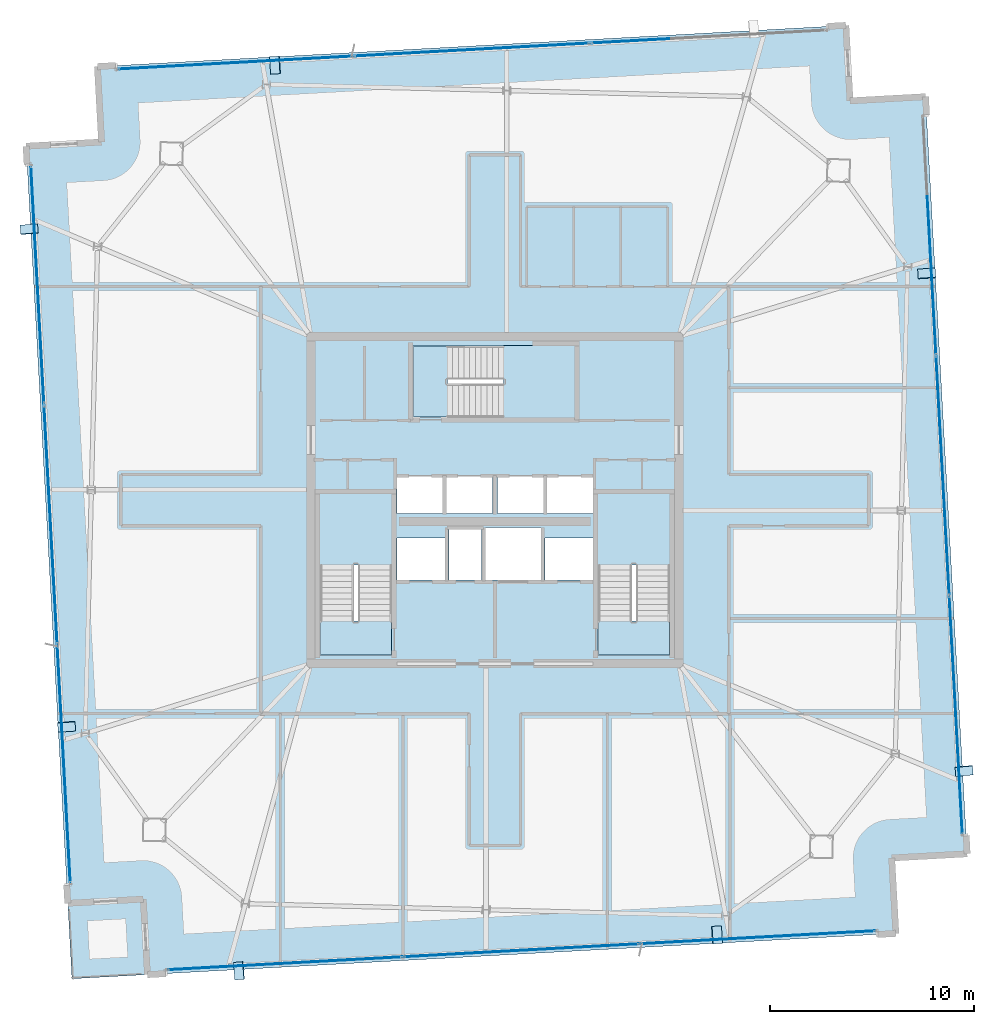
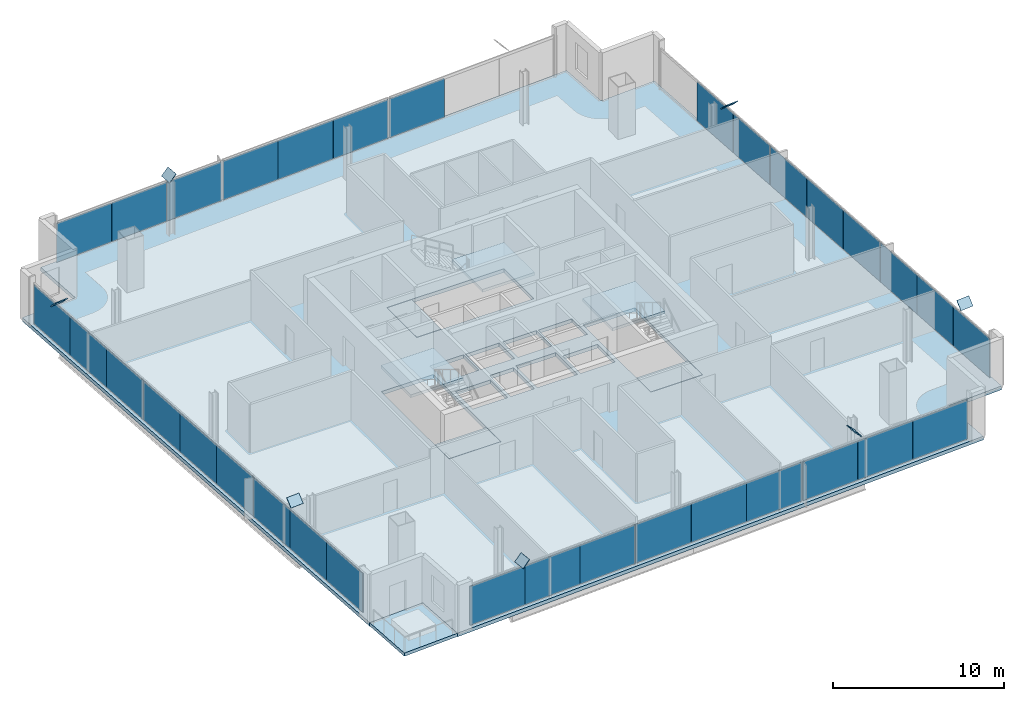
# One storey, part 16 of 23: 40 plates, 8 slabs, 7 elements without a shape of their own.
"""IFC4 building model written with IfcOpenShell, lengths in metres."""

from ifc_helpers import new_model, si_unit, direction, frame, origin, origin_2d, place, context, subcontext, project, spatial, polyline, rectangle, outline, extrude, source, transform, mapped, material, layer, layer_set, type_object, element, aggregate, save


model = new_model("IFC4")

# Units and contexts
model_context = context("Model", 3, precision=1e-05, world=origin(), true_north=direction((0.0, 1.0)))
body_context = subcontext(model_context, "Body", "Model", "MODEL_VIEW")
ifc_project = project(units=[si_unit("LENGTHUNIT", "METRE"), si_unit("AREAUNIT", "SQUARE_METRE"), si_unit("VOLUMEUNIT", "CUBIC_METRE"), si_unit("PLANEANGLEUNIT", "RADIAN"), si_unit("MASSUNIT", "GRAM", prefix="KILO")], contexts=[model_context])

# Site, building, storey
site_placement = place(None, origin())
site = spatial("IfcSite", under=ifc_project, at=site_placement, CompositionType="ELEMENT")
building_placement = place(site_placement, origin())
building = spatial("IfcBuilding", under=site, at=building_placement, Name="Haldenkirk Collegiate Tower", CompositionType="ELEMENT")
storey_placement = place(building_placement, frame((0.0, 0.0, 340.199951171875)))
storey = spatial("IfcBuildingStorey", under=building, at=storey_placement, Name="L86", CompositionType="ELEMENT", Elevation=340.199951171875)

# Slab
ifc_material_1 = material(Name="Concrete f'c 40 MPa", Category="concrete")
ifc_layer_1 = layer(ifc_material_1, 0.260009765625)
ifc_layer_set_1 = layer_set([ifc_layer_1], Name="Concrete f'c 40 MPa")
slab_type_1 = type_object("IfcSlabType", Name="SLB-FLR-260", PredefinedType="FLOOR", material=ifc_layer_set_1)
slab_1_placement = place(storey_placement, frame((0.0, 0.0, -0.260009765625)))
element("IfcSlab", 1, at=slab_1_placement, inside=storey, type_object=slab_type_1, Name="L86 composite structural floor slab", PredefinedType="FLOOR", context=body_context, shape_type="SweptSolid", body=[
    extrude(outline(polyline([(59.11083984375, 8.69384765625), (57.072265625, 45.73779296875), (53.377685546875, 45.534423828125), (53.174560546875, 49.228759765625), (16.554931640625, 47.21337890625), (16.75830078125, 43.51904296875), (13.063720703125, 43.31591796875), (15.1025390625, 6.27197265625), (18.796875, 6.47509765625), (19.000244140625, 2.78076171875), (55.619873046875, 4.796142578125), (55.41650390625, 8.490478515625), (59.11083984375, 8.69384765625)]), holes=[polyline([(27.449951171875, 18.39990234375), (30.949951171875, 18.39990234375), (30.949951171875, 26.300048828125), (27.449951171875, 26.300048828125), (27.449951171875, 18.39990234375)]), polyline([(41.050048828125, 18.39990234375), (44.550048828125, 18.39990234375), (44.550048828125, 26.300048828125), (41.050048828125, 26.300048828125), (41.050048828125, 18.39990234375)]), polyline([(32.0, 30.050048828125), (39.89990234375, 30.050048828125), (39.89990234375, 33.550048828125), (32.0, 33.550048828125), (32.0, 30.050048828125)]), polyline([(33.75, 22.10009765625), (35.35009765625, 22.10009765625), (35.35009765625, 24.550048828125), (33.75, 24.550048828125), (33.75, 22.10009765625)]), polyline([(31.199951171875, 25.35009765625), (33.47998046875, 25.35009765625), (33.47998046875, 27.14990234375), (31.199951171875, 27.14990234375), (31.199951171875, 25.35009765625)]), polyline([(33.60009765625, 25.35009765625), (35.8798828125, 25.35009765625), (35.8798828125, 27.14990234375), (33.60009765625, 27.14990234375), (33.60009765625, 25.35009765625)]), polyline([(36.1201171875, 25.35009765625), (38.39990234375, 25.35009765625), (38.39990234375, 27.14990234375), (36.1201171875, 27.14990234375), (36.1201171875, 25.35009765625)]), polyline([(38.52001953125, 25.35009765625), (40.800048828125, 25.35009765625), (40.800048828125, 27.14990234375), (38.52001953125, 27.14990234375), (38.52001953125, 25.35009765625)]), polyline([(31.199951171875, 22.10009765625), (33.550048828125, 22.10009765625), (33.550048828125, 24.14990234375), (31.199951171875, 24.14990234375), (31.199951171875, 22.10009765625)]), polyline([(38.449951171875, 22.10009765625), (40.800048828125, 22.10009765625), (40.800048828125, 24.14990234375), (38.449951171875, 24.14990234375), (38.449951171875, 22.10009765625)]), polyline([(35.550048828125, 22.10009765625), (38.25, 22.10009765625), (38.25, 24.64990234375), (35.550048828125, 24.64990234375), (35.550048828125, 22.10009765625)])]), origin(), (0.0, 0.0, 1.0), 0.260009765625),
])

# Stair, slab
stair_type = type_object("IfcStairType", Name="STR-DOGLEG-1650", PredefinedType="HALF_TURN_STAIR", material=ifc_material_1)
stair_1_placement = place(storey_placement, origin())
stair_1 = element("IfcStair", 2, at=stair_1_placement, inside=storey, type_object=stair_type, Name="L86 Core Exit Stair ST-1", PredefinedType="HALF_TURN_STAIR")
ifc_layer_2 = layer(ifc_material_1, 0.199951171875)
ifc_layer_set_2 = layer_set([ifc_layer_2], Name="Concrete f'c 40 MPa")
slab_type_2 = type_object("IfcSlabType", Name="SLB-LANDING-200", PredefinedType="LANDING", material=ifc_layer_set_2)
slab_2_placement = place(storey_placement, frame((0.0, 0.0, 1.675048828125)))
slab_2 = element("IfcSlab", 3, at=slab_2_placement, type_object=slab_type_2, Name="ST-1 landing 1", PredefinedType="LANDING", context=body_context, shape_type="SweptSolid", body=[
    extrude(outline(polyline([(30.97509765625, 22.824951171875), (27.425048828125, 22.824951171875), (27.425048828125, 26.324951171875), (30.97509765625, 26.324951171875), (30.97509765625, 22.824951171875)])), origin(), (0.0, 0.0, 1.0), 0.199951171875),
])
aggregate(stair_1, [slab_2])

stair_2_placement = place(storey_placement, origin())
stair_2 = element("IfcStair", 4, at=stair_2_placement, inside=storey, type_object=stair_type, Name="L86 Core Exit Stair ST-2", PredefinedType="HALF_TURN_STAIR")
slab_3_placement = place(storey_placement, frame((0.0, 0.0, 1.675048828125)))
slab_3 = element("IfcSlab", 5, at=slab_3_placement, type_object=slab_type_2, Name="ST-2 landing 1", PredefinedType="LANDING", context=body_context, shape_type="SweptSolid", body=[
    extrude(outline(polyline([(44.574951171875, 22.824951171875), (41.02490234375, 22.824951171875), (41.02490234375, 26.324951171875), (44.574951171875, 26.324951171875), (44.574951171875, 22.824951171875)])), origin(), (0.0, 0.0, 1.0), 0.199951171875),
])
aggregate(stair_2, [slab_3])

stair_3_placement = place(storey_placement, origin())
stair_3 = element("IfcStair", 6, at=stair_3_placement, inside=storey, type_object=stair_type, Name="L86 Core Exit Stair ST-3", PredefinedType="HALF_TURN_STAIR")
slab_4_placement = place(storey_placement, frame((0.0, 0.0, 1.675048828125)))
slab_4 = element("IfcSlab", 7, at=slab_4_placement, type_object=slab_type_2, Name="ST-3 landing 1", PredefinedType="LANDING", context=body_context, shape_type="SweptSolid", body=[
    extrude(outline(polyline([(36.425048828125, 30.02490234375), (36.425048828125, 33.574951171875), (39.925048828125, 33.574951171875), (39.925048828125, 30.02490234375), (36.425048828125, 30.02490234375)])), origin(), (0.0, 0.0, 1.0), 0.199951171875),
])
aggregate(stair_3, [slab_4])

# Slabs
ifc_layer_3 = layer(ifc_material_1, 0.25)
ifc_layer_set_3 = layer_set([ifc_layer_3], Name="Concrete f'c 40 MPa")
slab_type_3 = type_object("IfcSlabType", Name="SLB-STAIRLAND-250", PredefinedType="LANDING", material=ifc_layer_set_3)
slab_5_placement = place(storey_placement, frame((0.0, 0.0, -0.25)))
element("IfcSlab", 8, at=slab_5_placement, inside=storey, type_object=slab_type_3, Name="L86 stair ST1 structural floor landing slab", PredefinedType="LANDING", context=body_context, shape_type="SweptSolid", body=[
    extrude(outline(polyline([(27.4599609375, 18.409912109375), (30.93994140625, 18.409912109375), (30.93994140625, 20.080078125), (27.4599609375, 20.080078125), (27.4599609375, 18.409912109375)])), origin(), (0.0, 0.0, 1.0), 0.25),
])
slab_6_placement = place(storey_placement, frame((0.0, 0.0, -0.25)))
element("IfcSlab", 9, at=slab_6_placement, inside=storey, type_object=slab_type_3, Name="L86 stair ST2 structural floor landing slab", PredefinedType="LANDING", context=body_context, shape_type="SweptSolid", body=[
    extrude(outline(polyline([(41.06005859375, 18.409912109375), (44.5400390625, 18.409912109375), (44.5400390625, 20.080078125), (41.06005859375, 20.080078125), (41.06005859375, 18.409912109375)])), origin(), (0.0, 0.0, 1.0), 0.25),
])
slab_7_placement = place(storey_placement, frame((0.0, 0.0, -0.25)))
element("IfcSlab", 10, at=slab_7_placement, inside=storey, type_object=slab_type_3, Name="L86 stair ST3 structural floor landing slab", PredefinedType="LANDING", context=body_context, shape_type="SweptSolid", body=[
    extrude(outline(polyline([(32.010009765625, 30.06005859375), (33.679931640625, 30.06005859375), (33.679931640625, 33.5400390625), (32.010009765625, 33.5400390625), (32.010009765625, 30.06005859375)])), origin(), (0.0, 0.0, 1.0), 0.25),
])
ifc_layer_4 = layer(ifc_material_1, 0.22998046875)
ifc_layer_set_4 = layer_set([ifc_layer_4], Name="Concrete f'c 40 MPa")
slab_type_4 = type_object("IfcSlabType", Name="SLB-TERR-SPIRAL-230", PredefinedType="FLOOR", material=ifc_layer_set_4)
slab_8_placement = place(storey_placement, frame((0.0, 0.0, -0.22998046875)))
element("IfcSlab", 11, at=slab_8_placement, inside=storey, type_object=slab_type_4, Name="L86 spiralling corner terrace slab", PredefinedType="FLOOR", context=body_context, shape_type="SweptSolid", body=[
    extrude(outline(polyline([(19.000244140625, 2.78076171875), (18.796875, 6.47509765625), (15.1025390625, 6.27197265625), (15.305908203125, 2.577392578125), (19.000244140625, 2.78076171875)])), origin(), (0.0, 0.0, 1.0), 0.22998046875),
])

# Plates
ifc_material_2 = material(Name="Steel ASTM A572 Grade 50", Category="steel")
ifc_layer_5 = layer(ifc_material_2, 0.034912109375)
ifc_layer_set_5 = layer_set([ifc_layer_5], Name="Steel ASTM A572 Grade 50")
plate_type_1 = type_object("IfcPlateType", Name="PLT-CAP-EXT-760X600", PredefinedType="USERDEFINED", material=ifc_layer_set_5)
shared_shape_1 = source(origin(), body_context, "Body", "SweptSolid", [
    extrude(rectangle(XDim=0.860107421875, YDim=0.659912109375, at=origin_2d()), origin(), (0.0, 0.0, 1.0), 0.034912109375),
])
for number, where, z_axis, x_axis, name in (
    (12, (58.96240234375, 12.760986328125, 3.47802734375), (0.062063004511, -0.740457053816, 0.669232048639), (0.996505753768, 0.083524144458, -1.48175e-07), "Perimeter Mega Brace Z6 L84-L86 SL end cap plate 2"),
    (13, (57.133544921875, 37.080078125, 3.47802734375), (-0.047968001363, 0.7251520206, 0.686916019514), (-0.997819304209, -0.066004819129, 1.89567e-07), "Perimeter Mega Brace Z6 L84-L86 SR end cap plate 2"),
    (14, (25.251953125, 47.283935546875, 3.47802734375), (-0.714830989147, -0.047133999284, 0.697706989407), (0.065794207792, -0.997833213629, -1.88247e-07), "Perimeter Mega Brace Z6 L84-L86 ER end cap plate 2"),
    (15, (13.212890625, 39.24365234375, 3.47802734375), (-0.062034031723, 0.740626378741, 0.669047342137), (-0.99651056155, -0.083466764165, 1.78614e-07), "Perimeter Mega Brace Z6 L84-L86 NL end cap plate 2"),
    (16, (15.041748046875, 14.919921875, 3.47802734375), (0.048002011038, -0.725104166732, 0.686964157962), (0.997815932382, 0.06605577253, 2.10343e-07), "Perimeter Mega Brace Z6 L84-L86 NR end cap plate 2"),
    (17, (23.488525390625, 2.967041015625, 3.47802734375), (-0.724302147926, -0.060501012356, 0.686823140272), (0.083240586625, -0.996529480115, 4.27035e-07), "Perimeter Mega Brace Z6 L84-L86 WL end cap plate 2"),
    (18, (46.86181640625, 4.724609375, 3.47802734375), (0.714434287249, 0.047575019128, 0.698083280675), (-0.066444015007, 0.997790154727, -4.575e-09), "Perimeter Mega Brace Z6 L84-L86 WR end cap plate 2"),
):
    element("IfcPlate", number, at=place(storey_placement, frame(where, z_axis=z_axis, x_axis=x_axis)), inside=storey, type_object=plate_type_1, Name=name, ObjectType="END CAP PLATE", PredefinedType="USERDEFINED", context=body_context, shape_type="MappedRepresentation", body=[
        mapped(shared_shape_1, transform((0.0, 0.0, 0.0), x_axis=(1.0, 0.0, 0.0), y_axis=(0.0, 1.0, 0.0), z_axis=(0.0, 0.0, 1.0), scale=1.0)),
    ])

# Curtain wall, plates
ifc_material_3 = material(Name="Anodised architectural bronze aluminium", Category="aluminium")
curtain_wall_type_1 = type_object("IfcCurtainWallType", Name="CW-SYS2-CONCAVE", PredefinedType="USERDEFINED", material=ifc_material_3)
curtain_wall_1_placement = place(storey_placement, origin())
curtain_wall_1 = element("IfcCurtainWall", 19, at=curtain_wall_1_placement, inside=storey, type_object=curtain_wall_type_1, Name="L86 South concave recessed bronze-anodised curtain wall", ObjectType="UNITISED CURTAIN WALL", PredefinedType="USERDEFINED")
ifc_material_4 = material(Name="Bronze-anodised insulated aluminium spandrel panel", Category="aluminium")
ifc_layer_6 = layer(ifc_material_4, 0.0419921875)
ifc_layer_set_6 = layer_set([ifc_layer_6], Name="Bronze-anodised insulated aluminium spandrel panel")
plate_type_2 = type_object("IfcPlateType", Name="CW-SPD-02", PredefinedType="CURTAIN_PANEL", material=ifc_layer_set_6)
shared_shape_2 = source(origin(), body_context, "Body", "SweptSolid", [
    extrude(rectangle(XDim=3.872314453125, YDim=0.0419921875, at=origin_2d()), origin(), (0.0, 0.0, 1.0), 2.798095703125),
])
plate_1_placement = place(storey_placement, frame((57.47998046875, 35.05078125, 0.0751953125), z_axis=(0.0, 0.0, 1.0), x_axis=(0.054948957849, -0.998489164704, 0.0)))
plate_1 = element("IfcPlate", 20, at=plate_1_placement, type_object=plate_type_2, Name="CW-02 spandrel panel 1.1c", PredefinedType="CURTAIN_PANEL", context=body_context, shape_type="MappedRepresentation", body=[
    mapped(shared_shape_2, transform((0.0, 0.0, 0.0), x_axis=(1.0, 0.0, 0.0), y_axis=(0.0, 1.0, 0.0), z_axis=(0.0, 0.0, 1.0), scale=1.0)),
])
ifc_material_5 = material(Name="Low-E argon triple insulating glass", Category="glass")
ifc_layer_7 = layer(ifc_material_5, 0.0419921875)
ifc_layer_set_7 = layer_set([ifc_layer_7], Name="Low-E argon triple insulating glass")
plate_type_3 = type_object("IfcPlateType", Name="CW-PNL-02", PredefinedType="CURTAIN_PANEL", material=ifc_layer_set_7)
plate_2_placement = place(storey_placement, frame((57.911865234375, 27.205810546875, 0.0751953125), z_axis=(0.0, 0.0, 1.0), x_axis=(0.054948957849, -0.998489164704, 0.0)))
plate_2 = element("IfcPlate", 21, at=plate_2_placement, type_object=plate_type_3, Name="CW-02 panel 2.1b", PredefinedType="CURTAIN_PANEL", context=body_context, shape_type="MappedRepresentation", body=[
    mapped(shared_shape_2, transform((0.0, 0.0, 0.0), x_axis=(1.0, 0.0, 0.0), y_axis=(0.0, 1.0, 0.0), z_axis=(0.0, 0.0, 1.0), scale=1.0)),
])
plate_3_placement = place(storey_placement, frame((58.343505859375, 19.36083984375, 0.0751953125), z_axis=(0.0, 0.0, 1.0), x_axis=(0.054948957849, -0.998489164704, 0.0)))
plate_3 = element("IfcPlate", 22, at=plate_3_placement, type_object=plate_type_3, Name="CW-02 panel 3.1a", PredefinedType="CURTAIN_PANEL", context=body_context, shape_type="MappedRepresentation", body=[
    mapped(shared_shape_2, transform((0.0, 0.0, 0.0), x_axis=(1.0, 0.0, 0.0), y_axis=(0.0, 1.0, 0.0), z_axis=(0.0, 0.0, 1.0), scale=1.0)),
])
plate_4_placement = place(storey_placement, frame((58.771240234375, 11.590576171875, 0.0751953125), z_axis=(0.0, 0.0, 1.0), x_axis=(0.054948957849, -0.998489164704, 0.0)))
plate_4 = element("IfcPlate", 23, at=plate_4_placement, type_object=plate_type_2, Name="CW-02 spandrel panel 3.1c", PredefinedType="CURTAIN_PANEL", context=body_context, shape_type="MappedRepresentation", body=[
    mapped(shared_shape_2, transform((0.0, 0.0, 0.0), x_axis=(1.0, 0.0, 0.0), y_axis=(0.0, 1.0, 0.0), z_axis=(0.0, 0.0, 1.0), scale=1.0)),
])
shared_shape_3 = source(origin(), body_context, "Body", "SweptSolid", [
    extrude(rectangle(XDim=3.859619140625, YDim=0.0419921875, at=origin_2d()), origin(), (0.0, 0.0, 1.0), 2.798095703125),
])
plate_5_placement = place(storey_placement, frame((57.266357421875, 38.93603515625, 0.0751953125), z_axis=(0.0, 0.0, 1.0), x_axis=(0.054948957849, -0.998489164704, 0.0)))
plate_5 = element("IfcPlate", 24, at=plate_5_placement, type_object=plate_type_2, Name="CW-02 spandrel panel 1.1b", PredefinedType="CURTAIN_PANEL", context=body_context, shape_type="MappedRepresentation", body=[
    mapped(shared_shape_3, transform((0.0, 0.0, 0.0), x_axis=(1.0, 0.0, 0.0), y_axis=(0.0, 1.0, 0.0), z_axis=(0.0, 0.0, 1.0), scale=1.0)),
])
plate_6_placement = place(storey_placement, frame((58.557373046875, 15.4755859375, 0.0751953125), z_axis=(0.0, 0.0, 1.0), x_axis=(0.054948957849, -0.998489164704, 0.0)))
plate_6 = element("IfcPlate", 25, at=plate_6_placement, type_object=plate_type_2, Name="CW-02 spandrel panel 3.1b", PredefinedType="CURTAIN_PANEL", context=body_context, shape_type="MappedRepresentation", body=[
    mapped(shared_shape_3, transform((0.0, 0.0, 0.0), x_axis=(1.0, 0.0, 0.0), y_axis=(0.0, 1.0, 0.0), z_axis=(0.0, 0.0, 1.0), scale=1.0)),
])
shared_shape_4 = source(origin(), body_context, "Body", "SweptSolid", [
    extrude(rectangle(XDim=3.884765625, YDim=0.0419921875, at=origin_2d()), origin(), (0.0, 0.0, 1.0), 2.798095703125),
])
plate_7_placement = place(storey_placement, frame((57.697509765625, 31.103515625, 0.0751953125), z_axis=(0.0, 0.0, 1.0), x_axis=(0.054948957849, -0.998489164704, 0.0)))
plate_7 = element("IfcPlate", 26, at=plate_7_placement, type_object=plate_type_2, Name="CW-02 spandrel panel 2.1a", PredefinedType="CURTAIN_PANEL", context=body_context, shape_type="MappedRepresentation", body=[
    mapped(shared_shape_4, transform((0.0, 0.0, 0.0), x_axis=(1.0, 0.0, 0.0), y_axis=(0.0, 1.0, 0.0), z_axis=(0.0, 0.0, 1.0), scale=1.0)),
])
plate_8_placement = place(storey_placement, frame((58.126220703125, 23.308349609375, 0.0751953125), z_axis=(0.0, 0.0, 1.0), x_axis=(0.054948957849, -0.998489164704, 0.0)))
plate_8 = element("IfcPlate", 27, at=plate_8_placement, type_object=plate_type_3, Name="CW-02 panel 2.1c", PredefinedType="CURTAIN_PANEL", context=body_context, shape_type="MappedRepresentation", body=[
    mapped(shared_shape_4, transform((0.0, 0.0, 0.0), x_axis=(1.0, 0.0, 0.0), y_axis=(0.0, 1.0, 0.0), z_axis=(0.0, 0.0, 1.0), scale=1.0)),
])
aggregate(curtain_wall_1, [plate_5, plate_1, plate_7, plate_2, plate_8, plate_3, plate_6, plate_4])

curtain_wall_type_2 = type_object("IfcCurtainWallType", Name="CW-SYS1B-CONVEX-HI", PredefinedType="USERDEFINED", material=ifc_material_3)
curtain_wall_2_placement = place(storey_placement, origin())
curtain_wall_2 = element("IfcCurtainWall", 28, at=curtain_wall_2_placement, inside=storey, type_object=curtain_wall_type_2, Name="L86 Upper tower high-wind convex bronze unitised curtain wall", ObjectType="UNITISED CURTAIN WALL", PredefinedType="USERDEFINED")
ifc_layer_8 = layer(ifc_material_5, 0.048095703125)
ifc_layer_set_8 = layer_set([ifc_layer_8], Name="Low-E argon triple insulating glass")
plate_type_4 = type_object("IfcPlateType", Name="CW-PNL-1B", PredefinedType="CURTAIN_PANEL", material=ifc_layer_set_8)
shared_shape_5 = source(origin(), body_context, "Body", "SweptSolid", [
    extrude(rectangle(XDim=3.820068359375, YDim=0.048095703125, at=origin_2d()), origin(), (0.0, 0.0, 1.0), 2.778076171875),
])
plate_9_placement = place(storey_placement, frame((19.455322265625, 47.19287109375, 0.0849609375), z_axis=(0.0, 0.0, 1.0), x_axis=(0.998489243173, 0.054947531961, 0.0)))
plate_9 = element("IfcPlate", 29, at=plate_9_placement, type_object=plate_type_4, Name="CW-1B panel 1.1a", PredefinedType="CURTAIN_PANEL", context=body_context, shape_type="MappedRepresentation", body=[
    mapped(shared_shape_5, transform((0.0, 0.0, 0.0), x_axis=(1.0, 0.0, 0.0), y_axis=(0.0, 1.0, 0.0), z_axis=(0.0, 0.0, 1.0), scale=1.0)),
])
ifc_layer_9 = layer(ifc_material_4, 0.048095703125)
ifc_layer_set_9 = layer_set([ifc_layer_9], Name="Bronze-anodised insulated aluminium spandrel panel")
plate_type_5 = type_object("IfcPlateType", Name="CW-SPD-1B", PredefinedType="CURTAIN_PANEL", material=ifc_layer_set_9)
plate_10_placement = place(storey_placement, frame((27.121337890625, 47.61474609375, 0.0849609375), z_axis=(0.0, 0.0, 1.0), x_axis=(0.998489243173, 0.054947531961, 0.0)))
plate_10 = element("IfcPlate", 30, at=plate_10_placement, type_object=plate_type_5, Name="CW-1B spandrel panel 1.1c", PredefinedType="CURTAIN_PANEL", context=body_context, shape_type="MappedRepresentation", body=[
    mapped(shared_shape_5, transform((0.0, 0.0, 0.0), x_axis=(1.0, 0.0, 0.0), y_axis=(0.0, 1.0, 0.0), z_axis=(0.0, 0.0, 1.0), scale=1.0)),
])
plate_11_placement = place(storey_placement, frame((42.6279296875, 48.468017578125, 0.0849609375), z_axis=(0.0, 0.0, 1.0), x_axis=(0.998489243173, 0.054947531961, 0.0)))
plate_11 = element("IfcPlate", 31, at=plate_11_placement, type_object=plate_type_5, Name="CW-1B spandrel panel 3.1a", PredefinedType="CURTAIN_PANEL", context=body_context, shape_type="MappedRepresentation", body=[
    mapped(shared_shape_5, transform((0.0, 0.0, 0.0), x_axis=(1.0, 0.0, 0.0), y_axis=(0.0, 1.0, 0.0), z_axis=(0.0, 0.0, 1.0), scale=1.0)),
])

curtain_wall_3_placement = place(storey_placement, origin())
curtain_wall_3 = element("IfcCurtainWall", 32, at=curtain_wall_3_placement, inside=storey, type_object=curtain_wall_type_2, Name="L86 Upper tower high-wind convex bronze unitised curtain wall", ObjectType="UNITISED CURTAIN WALL", PredefinedType="USERDEFINED")
plate_12_placement = place(storey_placement, frame((52.71923828125, 4.816650390625, 0.0849609375), z_axis=(0.0, 0.0, 1.0), x_axis=(-0.998489243173, -0.054947531961, 0.0)))
plate_12 = element("IfcPlate", 33, at=plate_12_placement, type_object=plate_type_4, Name="CW-1B panel 1.1a", PredefinedType="CURTAIN_PANEL", context=body_context, shape_type="MappedRepresentation", body=[
    mapped(shared_shape_5, transform((0.0, 0.0, 0.0), x_axis=(1.0, 0.0, 0.0), y_axis=(0.0, 1.0, 0.0), z_axis=(0.0, 0.0, 1.0), scale=1.0)),
])
plate_13_placement = place(storey_placement, frame((45.053466796875, 4.394775390625, 0.0849609375), z_axis=(0.0, 0.0, 1.0), x_axis=(-0.998489243173, -0.054947531961, 0.0)))
plate_13 = element("IfcPlate", 34, at=plate_13_placement, type_object=plate_type_5, Name="CW-1B spandrel panel 1.1c", PredefinedType="CURTAIN_PANEL", context=body_context, shape_type="MappedRepresentation", body=[
    mapped(shared_shape_5, transform((0.0, 0.0, 0.0), x_axis=(1.0, 0.0, 0.0), y_axis=(0.0, 1.0, 0.0), z_axis=(0.0, 0.0, 1.0), scale=1.0)),
])
plate_14_placement = place(storey_placement, frame((29.546875, 3.54150390625, 0.0849609375), z_axis=(0.0, 0.0, 1.0), x_axis=(-0.998489243173, -0.054947531961, 0.0)))
plate_14 = element("IfcPlate", 35, at=plate_14_placement, type_object=plate_type_5, Name="CW-1B spandrel panel 3.1a", PredefinedType="CURTAIN_PANEL", context=body_context, shape_type="MappedRepresentation", body=[
    mapped(shared_shape_5, transform((0.0, 0.0, 0.0), x_axis=(1.0, 0.0, 0.0), y_axis=(0.0, 1.0, 0.0), z_axis=(0.0, 0.0, 1.0), scale=1.0)),
])
plate_15_placement = place(storey_placement, frame((21.880859375, 3.11962890625, 0.0849609375), z_axis=(0.0, 0.0, 1.0), x_axis=(-0.998489243173, -0.054947531961, 0.0)))
plate_15 = element("IfcPlate", 36, at=plate_15_placement, type_object=plate_type_5, Name="CW-1B spandrel panel 3.1c", PredefinedType="CURTAIN_PANEL", context=body_context, shape_type="MappedRepresentation", body=[
    mapped(shared_shape_5, transform((0.0, 0.0, 0.0), x_axis=(1.0, 0.0, 0.0), y_axis=(0.0, 1.0, 0.0), z_axis=(0.0, 0.0, 1.0), scale=1.0)),
])

# Plate
shared_shape_6 = source(origin(), body_context, "Body", "SweptSolid", [
    extrude(rectangle(XDim=3.8076171875, YDim=0.048095703125, at=origin_2d()), origin(), (0.0, 0.0, 1.0), 2.778076171875),
])
plate_16_placement = place(storey_placement, frame((23.288330078125, 47.40380859375, 0.0849609375), z_axis=(0.0, 0.0, 1.0), x_axis=(0.998489243173, 0.054947531961, 0.0)))
plate_16 = element("IfcPlate", 37, at=plate_16_placement, type_object=plate_type_5, Name="CW-1B spandrel panel 1.1b", PredefinedType="CURTAIN_PANEL", context=body_context, shape_type="MappedRepresentation", body=[
    mapped(shared_shape_6, transform((0.0, 0.0, 0.0), x_axis=(1.0, 0.0, 0.0), y_axis=(0.0, 1.0, 0.0), z_axis=(0.0, 0.0, 1.0), scale=1.0)),
])

plate_17_placement = place(storey_placement, frame((48.88623046875, 4.605712890625, 0.0849609375), z_axis=(0.0, 0.0, 1.0), x_axis=(-0.998489243173, -0.054947531961, 0.0)))
plate_17 = element("IfcPlate", 38, at=plate_17_placement, type_object=plate_type_4, Name="CW-1B panel 1.1b", PredefinedType="CURTAIN_PANEL", context=body_context, shape_type="MappedRepresentation", body=[
    mapped(shared_shape_6, transform((0.0, 0.0, 0.0), x_axis=(1.0, 0.0, 0.0), y_axis=(0.0, 1.0, 0.0), z_axis=(0.0, 0.0, 1.0), scale=1.0)),
])

plate_18_placement = place(storey_placement, frame((25.7138671875, 3.33056640625, 0.0849609375), z_axis=(0.0, 0.0, 1.0), x_axis=(-0.998489243173, -0.054947531961, 0.0)))
plate_18 = element("IfcPlate", 39, at=plate_18_placement, type_object=plate_type_5, Name="CW-1B spandrel panel 3.1b", PredefinedType="CURTAIN_PANEL", context=body_context, shape_type="MappedRepresentation", body=[
    mapped(shared_shape_6, transform((0.0, 0.0, 0.0), x_axis=(1.0, 0.0, 0.0), y_axis=(0.0, 1.0, 0.0), z_axis=(0.0, 0.0, 1.0), scale=1.0)),
])

shared_shape_7 = source(origin(), body_context, "Body", "SweptSolid", [
    extrude(rectangle(XDim=3.834228515625, YDim=0.048095703125, at=origin_2d()), origin(), (0.0, 0.0, 1.0), 2.778076171875),
])
plate_19_placement = place(storey_placement, frame((31.027587890625, 47.82958984375, 0.0849609375), z_axis=(0.0, 0.0, 1.0), x_axis=(0.998489243173, 0.054947531961, 0.0)))
plate_19 = element("IfcPlate", 40, at=plate_19_placement, type_object=plate_type_5, Name="CW-1B spandrel panel 2.1a", PredefinedType="CURTAIN_PANEL", context=body_context, shape_type="MappedRepresentation", body=[
    mapped(shared_shape_7, transform((0.0, 0.0, 0.0), x_axis=(1.0, 0.0, 0.0), y_axis=(0.0, 1.0, 0.0), z_axis=(0.0, 0.0, 1.0), scale=1.0)),
])

plate_20_placement = place(storey_placement, frame((38.7216796875, 48.253173828125, 0.0849609375), z_axis=(0.0, 0.0, 1.0), x_axis=(0.998489243173, 0.054947531961, 0.0)))
plate_20 = element("IfcPlate", 41, at=plate_20_placement, type_object=plate_type_4, Name="CW-1B panel 2.1c", PredefinedType="CURTAIN_PANEL", context=body_context, shape_type="MappedRepresentation", body=[
    mapped(shared_shape_7, transform((0.0, 0.0, 0.0), x_axis=(1.0, 0.0, 0.0), y_axis=(0.0, 1.0, 0.0), z_axis=(0.0, 0.0, 1.0), scale=1.0)),
])

plate_21_placement = place(storey_placement, frame((41.147216796875, 4.179931640625, 0.0849609375), z_axis=(0.0, 0.0, 1.0), x_axis=(-0.998489243173, -0.054947531961, 0.0)))
plate_21 = element("IfcPlate", 42, at=plate_21_placement, type_object=plate_type_5, Name="CW-1B spandrel panel 2.1a", PredefinedType="CURTAIN_PANEL", context=body_context, shape_type="MappedRepresentation", body=[
    mapped(shared_shape_7, transform((0.0, 0.0, 0.0), x_axis=(1.0, 0.0, 0.0), y_axis=(0.0, 1.0, 0.0), z_axis=(0.0, 0.0, 1.0), scale=1.0)),
])

plate_22_placement = place(storey_placement, frame((33.452880859375, 3.75634765625, 0.0849609375), z_axis=(0.0, 0.0, 1.0), x_axis=(-0.998489243173, -0.054947531961, 0.0)))
plate_22 = element("IfcPlate", 43, at=plate_22_placement, type_object=plate_type_4, Name="CW-1B panel 2.1c", PredefinedType="CURTAIN_PANEL", context=body_context, shape_type="MappedRepresentation", body=[
    mapped(shared_shape_7, transform((0.0, 0.0, 0.0), x_axis=(1.0, 0.0, 0.0), y_axis=(0.0, 1.0, 0.0), z_axis=(0.0, 0.0, 1.0), scale=1.0)),
])

shared_shape_8 = source(origin(), body_context, "Body", "SweptSolid", [
    extrude(rectangle(XDim=3.82177734375, YDim=0.048095703125, at=origin_2d()), origin(), (0.0, 0.0, 1.0), 2.778076171875),
])
plate_23_placement = place(storey_placement, frame((34.87451171875, 48.04150390625, 0.0849609375), z_axis=(0.0, 0.0, 1.0), x_axis=(0.998489243173, 0.054947531961, 0.0)))
plate_23 = element("IfcPlate", 44, at=plate_23_placement, type_object=plate_type_4, Name="CW-1B panel 2.1b", PredefinedType="CURTAIN_PANEL", context=body_context, shape_type="MappedRepresentation", body=[
    mapped(shared_shape_8, transform((0.0, 0.0, 0.0), x_axis=(1.0, 0.0, 0.0), y_axis=(0.0, 1.0, 0.0), z_axis=(0.0, 0.0, 1.0), scale=1.0)),
])

aggregate(curtain_wall_2, [plate_9, plate_16, plate_10, plate_19, plate_23, plate_20, plate_11])

plate_24_placement = place(storey_placement, frame((37.300048828125, 3.96826171875, 0.0849609375), z_axis=(0.0, 0.0, 1.0), x_axis=(-0.998489243173, -0.054947531961, 0.0)))
plate_24 = element("IfcPlate", 45, at=plate_24_placement, type_object=plate_type_4, Name="CW-1B panel 2.1b", PredefinedType="CURTAIN_PANEL", context=body_context, shape_type="MappedRepresentation", body=[
    mapped(shared_shape_8, transform((0.0, 0.0, 0.0), x_axis=(1.0, 0.0, 0.0), y_axis=(0.0, 1.0, 0.0), z_axis=(0.0, 0.0, 1.0), scale=1.0)),
])

aggregate(curtain_wall_3, [plate_12, plate_17, plate_13, plate_21, plate_24, plate_22, plate_14, plate_18, plate_15])

# Curtain wall, plates
curtain_wall_4_placement = place(storey_placement, origin())
curtain_wall_4 = element("IfcCurtainWall", 46, at=curtain_wall_4_placement, inside=storey, type_object=curtain_wall_type_2, Name="L86 Upper tower high-wind convex bronze unitised curtain wall", ObjectType="UNITISED CURTAIN WALL", PredefinedType="USERDEFINED")
shared_shape_9 = source(origin(), body_context, "Body", "SweptSolid", [
    extrude(rectangle(XDim=3.8671875, YDim=0.048095703125, at=origin_2d()), origin(), (0.0, 0.0, 1.0), 2.778076171875),
])
plate_25_placement = place(storey_placement, frame((15.121826171875, 9.196044921875, 0.0849609375), z_axis=(0.0, 0.0, 1.0), x_axis=(-0.054948957849, 0.998489164704, 0.0)))
plate_25 = element("IfcPlate", 47, at=plate_25_placement, type_object=plate_type_4, Name="CW-1B panel 1.1a", PredefinedType="CURTAIN_PANEL", context=body_context, shape_type="MappedRepresentation", body=[
    mapped(shared_shape_9, transform((0.0, 0.0, 0.0), x_axis=(1.0, 0.0, 0.0), y_axis=(0.0, 1.0, 0.0), z_axis=(0.0, 0.0, 1.0), scale=1.0)),
])
plate_26_placement = place(storey_placement, frame((14.694580078125, 16.956298828125, 0.0849609375), z_axis=(0.0, 0.0, 1.0), x_axis=(-0.054948957849, 0.998489164704, 0.0)))
plate_26 = element("IfcPlate", 48, at=plate_26_placement, type_object=plate_type_5, Name="CW-1B spandrel panel 1.1c", PredefinedType="CURTAIN_PANEL", context=body_context, shape_type="MappedRepresentation", body=[
    mapped(shared_shape_9, transform((0.0, 0.0, 0.0), x_axis=(1.0, 0.0, 0.0), y_axis=(0.0, 1.0, 0.0), z_axis=(0.0, 0.0, 1.0), scale=1.0)),
])
plate_27_placement = place(storey_placement, frame((13.8310546875, 32.6513671875, 0.0849609375), z_axis=(0.0, 0.0, 1.0), x_axis=(-0.054948957849, 0.998489164704, 0.0)))
plate_27 = element("IfcPlate", 49, at=plate_27_placement, type_object=plate_type_4, Name="CW-1B panel 3.1a", PredefinedType="CURTAIN_PANEL", context=body_context, shape_type="MappedRepresentation", body=[
    mapped(shared_shape_9, transform((0.0, 0.0, 0.0), x_axis=(1.0, 0.0, 0.0), y_axis=(0.0, 1.0, 0.0), z_axis=(0.0, 0.0, 1.0), scale=1.0)),
])
plate_28_placement = place(storey_placement, frame((13.40380859375, 40.41162109375, 0.0849609375), z_axis=(0.0, 0.0, 1.0), x_axis=(-0.054948957849, 0.998489164704, 0.0)))
plate_28 = element("IfcPlate", 50, at=plate_28_placement, type_object=plate_type_5, Name="CW-1B spandrel panel 3.1c", PredefinedType="CURTAIN_PANEL", context=body_context, shape_type="MappedRepresentation", body=[
    mapped(shared_shape_9, transform((0.0, 0.0, 0.0), x_axis=(1.0, 0.0, 0.0), y_axis=(0.0, 1.0, 0.0), z_axis=(0.0, 0.0, 1.0), scale=1.0)),
])
shared_shape_10 = source(origin(), body_context, "Body", "SweptSolid", [
    extrude(rectangle(XDim=3.854736328125, YDim=0.048095703125, at=origin_2d()), origin(), (0.0, 0.0, 1.0), 2.778076171875),
])
plate_29_placement = place(storey_placement, frame((14.908203125, 13.076171875, 0.0849609375), z_axis=(0.0, 0.0, 1.0), x_axis=(-0.054948957849, 0.998489164704, 0.0)))
plate_29 = element("IfcPlate", 51, at=plate_29_placement, type_object=plate_type_5, Name="CW-1B spandrel panel 1.1b", PredefinedType="CURTAIN_PANEL", context=body_context, shape_type="MappedRepresentation", body=[
    mapped(shared_shape_10, transform((0.0, 0.0, 0.0), x_axis=(1.0, 0.0, 0.0), y_axis=(0.0, 1.0, 0.0), z_axis=(0.0, 0.0, 1.0), scale=1.0)),
])
plate_30_placement = place(storey_placement, frame((13.617431640625, 36.531494140625, 0.0849609375), z_axis=(0.0, 0.0, 1.0), x_axis=(-0.054948957849, 0.998489164704, 0.0)))
plate_30 = element("IfcPlate", 52, at=plate_30_placement, type_object=plate_type_5, Name="CW-1B spandrel panel 3.1b", PredefinedType="CURTAIN_PANEL", context=body_context, shape_type="MappedRepresentation", body=[
    mapped(shared_shape_10, transform((0.0, 0.0, 0.0), x_axis=(1.0, 0.0, 0.0), y_axis=(0.0, 1.0, 0.0), z_axis=(0.0, 0.0, 1.0), scale=1.0)),
])
shared_shape_11 = source(origin(), body_context, "Body", "SweptSolid", [
    extrude(rectangle(XDim=3.88134765625, YDim=0.048095703125, at=origin_2d()), origin(), (0.0, 0.0, 1.0), 2.778076171875),
])
plate_31_placement = place(storey_placement, frame((14.477294921875, 20.909423828125, 0.0849609375), z_axis=(0.0, 0.0, 1.0), x_axis=(-0.054948957849, 0.998489164704, 0.0)))
plate_31 = element("IfcPlate", 53, at=plate_31_placement, type_object=plate_type_5, Name="CW-1B spandrel panel 2.1a", PredefinedType="CURTAIN_PANEL", context=body_context, shape_type="MappedRepresentation", body=[
    mapped(shared_shape_11, transform((0.0, 0.0, 0.0), x_axis=(1.0, 0.0, 0.0), y_axis=(0.0, 1.0, 0.0), z_axis=(0.0, 0.0, 1.0), scale=1.0)),
])
plate_32_placement = place(storey_placement, frame((14.048583984375, 28.697998046875, 0.0849609375), z_axis=(0.0, 0.0, 1.0), x_axis=(-0.054948957849, 0.998489164704, 0.0)))
plate_32 = element("IfcPlate", 54, at=plate_32_placement, type_object=plate_type_4, Name="CW-1B panel 2.1c", PredefinedType="CURTAIN_PANEL", context=body_context, shape_type="MappedRepresentation", body=[
    mapped(shared_shape_11, transform((0.0, 0.0, 0.0), x_axis=(1.0, 0.0, 0.0), y_axis=(0.0, 1.0, 0.0), z_axis=(0.0, 0.0, 1.0), scale=1.0)),
])
shared_shape_12 = source(origin(), body_context, "Body", "SweptSolid", [
    extrude(rectangle(XDim=3.868896484375, YDim=0.048095703125, at=origin_2d()), origin(), (0.0, 0.0, 1.0), 2.778076171875),
])
plate_33_placement = place(storey_placement, frame((14.2626953125, 24.8037109375, 0.0849609375), z_axis=(0.0, 0.0, 1.0), x_axis=(-0.054948957849, 0.998489164704, 0.0)))
plate_33 = element("IfcPlate", 55, at=plate_33_placement, type_object=plate_type_4, Name="CW-1B panel 2.1b", PredefinedType="CURTAIN_PANEL", context=body_context, shape_type="MappedRepresentation", body=[
    mapped(shared_shape_12, transform((0.0, 0.0, 0.0), x_axis=(1.0, 0.0, 0.0), y_axis=(0.0, 1.0, 0.0), z_axis=(0.0, 0.0, 1.0), scale=1.0)),
])
aggregate(curtain_wall_4, [plate_25, plate_29, plate_26, plate_31, plate_33, plate_32, plate_27, plate_30, plate_28])

save(model, "model.ifc")
